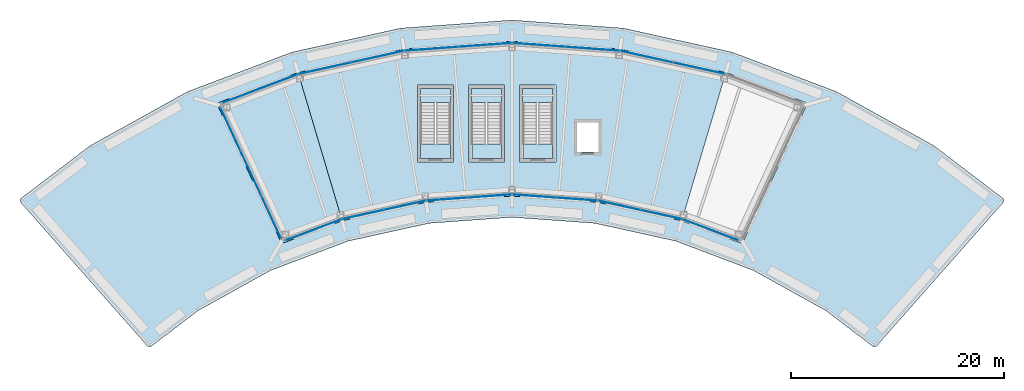
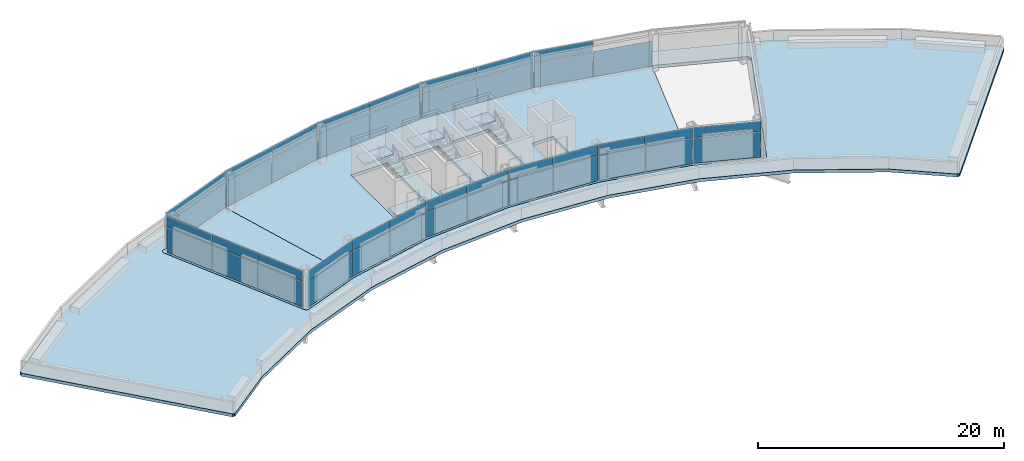
# One storey, part 5 of 9: 43 plates, 9 slabs, 15 elements without a shape of their own.
"""IFC4 building model written with IfcOpenShell, lengths in metres."""

from ifc_helpers import new_model, si_unit, direction, frame, origin, origin_2d, place, context, subcontext, project, spatial, polyline, rectangle, outline, extrude, material, layer, layer_set, type_object, element, aggregate, save


model = new_model("IFC4")

# Units and contexts
model_context = context("Model", 3, precision=1e-05, world=origin(), true_north=direction((0.0, 1.0)))
body_context = subcontext(model_context, "Body", "Model", "MODEL_VIEW")
ifc_project = project(units=[si_unit("LENGTHUNIT", "METRE"), si_unit("AREAUNIT", "SQUARE_METRE"), si_unit("VOLUMEUNIT", "CUBIC_METRE"), si_unit("PLANEANGLEUNIT", "RADIAN"), si_unit("MASSUNIT", "GRAM", prefix="KILO")], contexts=[model_context])

# Site, building, storey
site_placement = place(None, origin())
site = spatial("IfcSite", under=ifc_project, at=site_placement, CompositionType="ELEMENT")
building_placement = place(site_placement, origin())
building = spatial("IfcBuilding", under=site, at=building_placement, Name="Tuul Gate Civic Tower", CompositionType="ELEMENT")
storey_placement = place(building_placement, frame((0.0, 0.0, 368.10009765625)))
storey = spatial("IfcBuildingStorey", under=building, at=storey_placement, Name="Crown tier 2 lower", CompositionType="ELEMENT", Elevation=368.10009765625)

# Curtain wall, plates
ifc_material_1 = material(Name="Aluminium", Category="aluminium")
ifc_layer_1 = layer(ifc_material_1, 0.199951171875)
ifc_layer_set_1 = layer_set([ifc_layer_1], Name="Aluminium")
curtain_wall_type = type_object("IfcCurtainWallType", Name="Curtain wall CW5", PredefinedType="NOTDEFINED", material=ifc_layer_set_1)
curtain_wall_1_placement = place(storey_placement, origin())
curtain_wall_1 = element("IfcCurtainWall", 1, at=curtain_wall_1_placement, inside=storey, type_object=curtain_wall_type, Name="Curtain wall CW5", PredefinedType="NOTDEFINED")
ifc_material_2 = material(Name="Insulated glass", Category="glass")
ifc_layer_2 = layer(ifc_material_2, 0.030029296875)
ifc_layer_set_2 = layer_set([ifc_layer_2], Name="Insulated glass")
plate_type = type_object("IfcPlateType", Name="CW5 panel", PredefinedType="CURTAIN_PANEL", material=ifc_layer_set_2)
plate_1_placement = place(storey_placement, frame((19.75732421875, 7.89697265625, 0.06005859375), z_axis=(0.0, 0.0, 1.0), x_axis=(-0.976567587853, 0.215210934562, 0.0)))
plate_1 = element("IfcPlate", 2, at=plate_1_placement, type_object=plate_type, Name="Panel", PredefinedType="CURTAIN_PANEL", context=body_context, shape_type="SweptSolid", body=[
    extrude(rectangle(XDim=4.990966796875, YDim=0.030029296875, at=origin_2d()), origin(), (0.0, 0.0, 1.0), 2.510009765625),
])
plate_2_placement = place(storey_placement, frame((14.82470703125, 8.984130859375, 0.06005859375), z_axis=(0.0, 0.0, 1.0), x_axis=(-0.976567587853, 0.215210934562, 0.0)))
plate_2 = element("IfcPlate", 3, at=plate_2_placement, type_object=plate_type, Name="Panel", PredefinedType="CURTAIN_PANEL", context=body_context, shape_type="SweptSolid", body=[
    extrude(rectangle(XDim=4.990966796875, YDim=0.030029296875, at=origin_2d()), origin(), (0.0, 0.0, 1.0), 2.510009765625),
])
plate_3_placement = place(storey_placement, frame((14.82470703125, 8.984130859375, 2.6298828125), z_axis=(0.0, 0.0, 1.0), x_axis=(-0.976567587853, 0.215210934562, 0.0)))
plate_3 = element("IfcPlate", 4, at=plate_3_placement, type_object=plate_type, Name="Panel", PredefinedType="CURTAIN_PANEL", context=body_context, shape_type="SweptSolid", body=[
    extrude(rectangle(XDim=4.990966796875, YDim=0.030029296875, at=origin_2d()), origin(), (0.0, 0.0, 1.0), 1.010009765625),
])
aggregate(curtain_wall_1, [plate_1, plate_2, plate_3])

curtain_wall_2_placement = place(storey_placement, origin())
curtain_wall_2 = element("IfcCurtainWall", 5, at=curtain_wall_2_placement, inside=storey, type_object=curtain_wall_type, Name="Curtain wall CW5", PredefinedType="NOTDEFINED")
plate_4_placement = place(storey_placement, frame((9.77978515625, 9.718505859375, 0.06005859375), z_axis=(0.0, 0.0, 1.0), x_axis=(-0.997388803273, 0.072218938697, 0.0)))
plate_4 = element("IfcPlate", 6, at=plate_4_placement, type_object=plate_type, Name="Panel", PredefinedType="CURTAIN_PANEL", context=body_context, shape_type="SweptSolid", body=[
    extrude(rectangle(XDim=4.99169921875, YDim=0.030029296875, at=origin_2d()), origin(), (0.0, 0.0, 1.0), 2.510009765625),
])
plate_5_placement = place(storey_placement, frame((9.77978515625, 9.718505859375, 2.6298828125), z_axis=(0.0, 0.0, 1.0), x_axis=(-0.997388803273, 0.072218938697, 0.0)))
plate_5 = element("IfcPlate", 7, at=plate_5_placement, type_object=plate_type, Name="Panel", PredefinedType="CURTAIN_PANEL", context=body_context, shape_type="SweptSolid", body=[
    extrude(rectangle(XDim=4.99169921875, YDim=0.030029296875, at=origin_2d()), origin(), (0.0, 0.0, 1.0), 1.010009765625),
])
plate_6_placement = place(storey_placement, frame((4.7412109375, 10.08349609375, 0.06005859375), z_axis=(0.0, 0.0, 1.0), x_axis=(-0.997388803273, 0.072218938697, 0.0)))
plate_6 = element("IfcPlate", 8, at=plate_6_placement, type_object=plate_type, Name="Panel", PredefinedType="CURTAIN_PANEL", context=body_context, shape_type="SweptSolid", body=[
    extrude(rectangle(XDim=4.99169921875, YDim=0.030029296875, at=origin_2d()), origin(), (0.0, 0.0, 1.0), 2.510009765625),
])
plate_7_placement = place(storey_placement, frame((4.7412109375, 10.08349609375, 2.6298828125), z_axis=(0.0, 0.0, 1.0), x_axis=(-0.997388803273, 0.072218938697, 0.0)))
plate_7 = element("IfcPlate", 9, at=plate_7_placement, type_object=plate_type, Name="Panel", PredefinedType="CURTAIN_PANEL", context=body_context, shape_type="SweptSolid", body=[
    extrude(rectangle(XDim=4.99169921875, YDim=0.030029296875, at=origin_2d()), origin(), (0.0, 0.0, 1.0), 1.010009765625),
])
aggregate(curtain_wall_2, [plate_4, plate_5, plate_6, plate_7])

curtain_wall_3_placement = place(storey_placement, origin())
curtain_wall_3 = element("IfcCurtainWall", 10, at=curtain_wall_3_placement, inside=storey, type_object=curtain_wall_type, Name="Curtain wall CW5", PredefinedType="NOTDEFINED")
plate_8_placement = place(storey_placement, frame((-0.357177734375, 10.08349609375, 0.06005859375), z_axis=(0.0, 0.0, 1.0), x_axis=(-0.997388803273, -0.072218938697, 0.0)))
plate_8 = element("IfcPlate", 11, at=plate_8_placement, type_object=plate_type, Name="Panel", PredefinedType="CURTAIN_PANEL", context=body_context, shape_type="SweptSolid", body=[
    extrude(rectangle(XDim=4.99169921875, YDim=0.030029296875, at=origin_2d()), origin(), (0.0, 0.0, 1.0), 2.510009765625),
])
plate_9_placement = place(storey_placement, frame((-0.357177734375, 10.08349609375, 2.6298828125), z_axis=(0.0, 0.0, 1.0), x_axis=(-0.997388803273, -0.072218938697, 0.0)))
plate_9 = element("IfcPlate", 12, at=plate_9_placement, type_object=plate_type, Name="Panel", PredefinedType="CURTAIN_PANEL", context=body_context, shape_type="SweptSolid", body=[
    extrude(rectangle(XDim=4.99169921875, YDim=0.030029296875, at=origin_2d()), origin(), (0.0, 0.0, 1.0), 1.010009765625),
])
plate_10_placement = place(storey_placement, frame((-5.395751953125, 9.718505859375, 0.06005859375), z_axis=(0.0, 0.0, 1.0), x_axis=(-0.997388803273, -0.072218938697, 0.0)))
plate_10 = element("IfcPlate", 13, at=plate_10_placement, type_object=plate_type, Name="Panel", PredefinedType="CURTAIN_PANEL", context=body_context, shape_type="SweptSolid", body=[
    extrude(rectangle(XDim=4.99169921875, YDim=0.030029296875, at=origin_2d()), origin(), (0.0, 0.0, 1.0), 2.510009765625),
])
plate_11_placement = place(storey_placement, frame((-5.395751953125, 9.718505859375, 2.6298828125), z_axis=(0.0, 0.0, 1.0), x_axis=(-0.997388803273, -0.072218938697, 0.0)))
plate_11 = element("IfcPlate", 14, at=plate_11_placement, type_object=plate_type, Name="Panel", PredefinedType="CURTAIN_PANEL", context=body_context, shape_type="SweptSolid", body=[
    extrude(rectangle(XDim=4.99169921875, YDim=0.030029296875, at=origin_2d()), origin(), (0.0, 0.0, 1.0), 1.010009765625),
])
aggregate(curtain_wall_3, [plate_8, plate_9, plate_10, plate_11])

curtain_wall_4_placement = place(storey_placement, origin())
curtain_wall_4 = element("IfcCurtainWall", 15, at=curtain_wall_4_placement, inside=storey, type_object=curtain_wall_type, Name="Curtain wall CW5", PredefinedType="NOTDEFINED")
plate_12_placement = place(storey_placement, frame((-10.440673828125, 8.984130859375, 0.06005859375), z_axis=(0.0, 0.0, 1.0), x_axis=(-0.976567587853, -0.215210934562, 0.0)))
plate_12 = element("IfcPlate", 16, at=plate_12_placement, type_object=plate_type, Name="Panel", PredefinedType="CURTAIN_PANEL", context=body_context, shape_type="SweptSolid", body=[
    extrude(rectangle(XDim=4.990966796875, YDim=0.030029296875, at=origin_2d()), origin(), (0.0, 0.0, 1.0), 2.510009765625),
])
plate_13_placement = place(storey_placement, frame((-10.440673828125, 8.984130859375, 2.6298828125), z_axis=(0.0, 0.0, 1.0), x_axis=(-0.976567587853, -0.215210934562, 0.0)))
plate_13 = element("IfcPlate", 17, at=plate_13_placement, type_object=plate_type, Name="Panel", PredefinedType="CURTAIN_PANEL", context=body_context, shape_type="SweptSolid", body=[
    extrude(rectangle(XDim=4.990966796875, YDim=0.030029296875, at=origin_2d()), origin(), (0.0, 0.0, 1.0), 1.010009765625),
])
plate_14_placement = place(storey_placement, frame((-15.373291015625, 7.89697265625, 0.06005859375), z_axis=(0.0, 0.0, 1.0), x_axis=(-0.976567587853, -0.215210934562, 0.0)))
plate_14 = element("IfcPlate", 18, at=plate_14_placement, type_object=plate_type, Name="Panel", PredefinedType="CURTAIN_PANEL", context=body_context, shape_type="SweptSolid", body=[
    extrude(rectangle(XDim=4.990966796875, YDim=0.030029296875, at=origin_2d()), origin(), (0.0, 0.0, 1.0), 2.510009765625),
])
plate_15_placement = place(storey_placement, frame((-15.373291015625, 7.89697265625, 2.6298828125), z_axis=(0.0, 0.0, 1.0), x_axis=(-0.976567587853, -0.215210934562, 0.0)))
plate_15 = element("IfcPlate", 19, at=plate_15_placement, type_object=plate_type, Name="Panel", PredefinedType="CURTAIN_PANEL", context=body_context, shape_type="SweptSolid", body=[
    extrude(rectangle(XDim=4.990966796875, YDim=0.030029296875, at=origin_2d()), origin(), (0.0, 0.0, 1.0), 1.010009765625),
])
aggregate(curtain_wall_4, [plate_12, plate_13, plate_14, plate_15])

curtain_wall_5_placement = place(storey_placement, origin())
curtain_wall_5 = element("IfcCurtainWall", 20, at=curtain_wall_5_placement, inside=storey, type_object=curtain_wall_type, Name="Curtain wall CW5", PredefinedType="NOTDEFINED")
plate_16_placement = place(storey_placement, frame((-21.46337890625, 5.988037109375, 0.06005859375), z_axis=(0.0, 0.0, 1.0), x_axis=(-0.935379340792, -0.353645993643, 0.0)))
plate_16 = element("IfcPlate", 21, at=plate_16_placement, type_object=plate_type, Name="Panel", PredefinedType="CURTAIN_PANEL", context=body_context, shape_type="SweptSolid", body=[
    extrude(rectangle(XDim=7.565673828125, YDim=0.030029296875, at=origin_2d()), origin(), (0.0, 0.0, 1.0), 2.510009765625),
])
plate_17_placement = place(storey_placement, frame((-21.46337890625, 5.988037109375, 2.6298828125), z_axis=(0.0, 0.0, 1.0), x_axis=(-0.935379340792, -0.353645993643, 0.0)))
plate_17 = element("IfcPlate", 22, at=plate_17_placement, type_object=plate_type, Name="Panel", PredefinedType="CURTAIN_PANEL", context=body_context, shape_type="SweptSolid", body=[
    extrude(rectangle(XDim=7.565673828125, YDim=0.030029296875, at=origin_2d()), origin(), (0.0, 0.0, 1.0), 1.010009765625),
])
aggregate(curtain_wall_5, [plate_16, plate_17])

curtain_wall_6_placement = place(storey_placement, origin())
curtain_wall_6 = element("IfcCurtainWall", 23, at=curtain_wall_6_placement, inside=storey, type_object=curtain_wall_type, Name="Curtain wall CW5", PredefinedType="NOTDEFINED")
plate_18_placement = place(storey_placement, frame((-24.262451171875, 2.146484375, 0.06005859375), z_axis=(0.0, 0.0, 1.0), x_axis=(0.420378549682, -0.90734881659, 0.0)))
plate_18 = element("IfcPlate", 24, at=plate_18_placement, type_object=plate_type, Name="Panel", PredefinedType="CURTAIN_PANEL", context=body_context, shape_type="SweptSolid", body=[
    extrude(rectangle(XDim=4.455078125, YDim=0.030029296875, at=origin_2d()), origin(), (0.0, 0.0, 1.0), 2.510009765625),
])
plate_19_placement = place(storey_placement, frame((-24.262451171875, 2.146484375, 2.6298828125), z_axis=(0.0, 0.0, 1.0), x_axis=(0.420378549682, -0.90734881659, 0.0)))
plate_19 = element("IfcPlate", 25, at=plate_19_placement, type_object=plate_type, Name="Panel", PredefinedType="CURTAIN_PANEL", context=body_context, shape_type="SweptSolid", body=[
    extrude(rectangle(XDim=4.455078125, YDim=0.030029296875, at=origin_2d()), origin(), (0.0, 0.0, 1.0), 1.010009765625),
])
plate_20_placement = place(storey_placement, frame((-22.35791015625, -1.964111328125, 0.06005859375), z_axis=(0.0, 0.0, 1.0), x_axis=(0.420378549682, -0.90734881659, 0.0)))
plate_20 = element("IfcPlate", 26, at=plate_20_placement, type_object=plate_type, Name="Panel", PredefinedType="CURTAIN_PANEL", context=body_context, shape_type="SweptSolid", body=[
    extrude(rectangle(XDim=4.485107421875, YDim=0.030029296875, at=origin_2d()), origin(), (0.0, 0.0, 1.0), 2.510009765625),
])
plate_21_placement = place(storey_placement, frame((-22.35791015625, -1.964111328125, 2.6298828125), z_axis=(0.0, 0.0, 1.0), x_axis=(0.420378549682, -0.90734881659, 0.0)))
plate_21 = element("IfcPlate", 27, at=plate_21_placement, type_object=plate_type, Name="Panel", PredefinedType="CURTAIN_PANEL", context=body_context, shape_type="SweptSolid", body=[
    extrude(rectangle(XDim=4.485107421875, YDim=0.030029296875, at=origin_2d()), origin(), (0.0, 0.0, 1.0), 1.010009765625),
])
plate_22_placement = place(storey_placement, frame((-20.45361328125, -6.074462890625, 0.06005859375), z_axis=(0.0, 0.0, 1.0), x_axis=(0.420378549682, -0.90734881659, 0.0)))
plate_22 = element("IfcPlate", 28, at=plate_22_placement, type_object=plate_type, Name="Panel", PredefinedType="CURTAIN_PANEL", context=body_context, shape_type="SweptSolid", body=[
    extrude(rectangle(XDim=4.455078125, YDim=0.030029296875, at=origin_2d()), origin(), (0.0, 0.0, 1.0), 2.510009765625),
])
plate_23_placement = place(storey_placement, frame((-20.45361328125, -6.074462890625, 2.6298828125), z_axis=(0.0, 0.0, 1.0), x_axis=(0.420378549682, -0.90734881659, 0.0)))
plate_23 = element("IfcPlate", 29, at=plate_23_placement, type_object=plate_type, Name="Panel", PredefinedType="CURTAIN_PANEL", context=body_context, shape_type="SweptSolid", body=[
    extrude(rectangle(XDim=4.455078125, YDim=0.030029296875, at=origin_2d()), origin(), (0.0, 0.0, 1.0), 1.010009765625),
])
aggregate(curtain_wall_6, [plate_18, plate_19, plate_20, plate_21, plate_22, plate_23])

curtain_wall_7_placement = place(storey_placement, origin())
curtain_wall_7 = element("IfcCurtainWall", 30, at=curtain_wall_7_placement, inside=storey, type_object=curtain_wall_type, Name="Curtain wall CW5", PredefinedType="NOTDEFINED")
plate_24_placement = place(storey_placement, frame((-16.46142578125, -7.302001953125, 0.06005859375), z_axis=(0.0, 0.0, 1.0), x_axis=(0.935361945353, 0.353692000454, 0.0)))
plate_24 = element("IfcPlate", 31, at=plate_24_placement, type_object=plate_type, Name="Panel", PredefinedType="CURTAIN_PANEL", context=body_context, shape_type="SweptSolid", body=[
    extrude(rectangle(XDim=5.551513671875, YDim=0.030029296875, at=origin_2d()), origin(), (0.0, 0.0, 1.0), 2.510009765625),
])
plate_25_placement = place(storey_placement, frame((-16.46142578125, -7.302001953125, 2.6298828125), z_axis=(0.0, 0.0, 1.0), x_axis=(0.935361945353, 0.353692000454, 0.0)))
plate_25 = element("IfcPlate", 32, at=plate_25_placement, type_object=plate_type, Name="Panel", PredefinedType="CURTAIN_PANEL", context=body_context, shape_type="SweptSolid", body=[
    extrude(rectangle(XDim=5.551513671875, YDim=0.030029296875, at=origin_2d()), origin(), (0.0, 0.0, 1.0), 1.010009765625),
])
aggregate(curtain_wall_7, [plate_24, plate_25])

curtain_wall_8_placement = place(storey_placement, origin())
curtain_wall_8 = element("IfcCurtainWall", 33, at=curtain_wall_8_placement, inside=storey, type_object=curtain_wall_type, Name="Curtain wall CW5", PredefinedType="NOTDEFINED")
plate_26_placement = place(storey_placement, frame((-11.8154296875, -5.859619140625, 0.06005859375), z_axis=(0.0, 0.0, 1.0), x_axis=(0.976554293156, 0.215271253351, 0.0)))
plate_26 = element("IfcPlate", 34, at=plate_26_placement, type_object=plate_type, Name="Panel", PredefinedType="CURTAIN_PANEL", context=body_context, shape_type="SweptSolid", body=[
    extrude(rectangle(XDim=3.963134765625, YDim=0.030029296875, at=origin_2d()), origin(), (0.0, 0.0, 1.0), 2.510009765625),
])
plate_27_placement = place(storey_placement, frame((-11.8154296875, -5.859619140625, 2.6298828125), z_axis=(0.0, 0.0, 1.0), x_axis=(0.976554293156, 0.215271253351, 0.0)))
plate_27 = element("IfcPlate", 35, at=plate_27_placement, type_object=plate_type, Name="Panel", PredefinedType="CURTAIN_PANEL", context=body_context, shape_type="SweptSolid", body=[
    extrude(rectangle(XDim=3.963134765625, YDim=0.030029296875, at=origin_2d()), origin(), (0.0, 0.0, 1.0), 1.010009765625),
])
plate_28_placement = place(storey_placement, frame((-7.88671875, -4.993408203125, 0.06005859375), z_axis=(0.0, 0.0, 1.0), x_axis=(0.976554293156, 0.215271253351, 0.0)))
plate_28 = element("IfcPlate", 36, at=plate_28_placement, type_object=plate_type, Name="Panel", PredefinedType="CURTAIN_PANEL", context=body_context, shape_type="SweptSolid", body=[
    extrude(rectangle(XDim=3.963134765625, YDim=0.030029296875, at=origin_2d()), origin(), (0.0, 0.0, 1.0), 2.510009765625),
])
plate_29_placement = place(storey_placement, frame((-7.88671875, -4.993408203125, 2.6298828125), z_axis=(0.0, 0.0, 1.0), x_axis=(0.976554293156, 0.215271253351, 0.0)))
plate_29 = element("IfcPlate", 37, at=plate_29_placement, type_object=plate_type, Name="Panel", PredefinedType="CURTAIN_PANEL", context=body_context, shape_type="SweptSolid", body=[
    extrude(rectangle(XDim=3.963134765625, YDim=0.030029296875, at=origin_2d()), origin(), (0.0, 0.0, 1.0), 1.010009765625),
])
aggregate(curtain_wall_8, [plate_26, plate_27, plate_28, plate_29])

curtain_wall_9_placement = place(storey_placement, origin())
curtain_wall_9 = element("IfcCurtainWall", 38, at=curtain_wall_9_placement, inside=storey, type_object=curtain_wall_type, Name="Curtain wall CW5", PredefinedType="NOTDEFINED")
plate_30_placement = place(storey_placement, frame((-3.856689453125, -4.40673828125, 0.06005859375), z_axis=(0.0, 0.0, 1.0), x_axis=(0.997392523036, 0.072167548057, 0.0)))
plate_30 = element("IfcPlate", 39, at=plate_30_placement, type_object=plate_type, Name="Panel", PredefinedType="CURTAIN_PANEL", context=body_context, shape_type="SweptSolid", body=[
    extrude(rectangle(XDim=3.963134765625, YDim=0.030029296875, at=origin_2d()), origin(), (0.0, 0.0, 1.0), 2.510009765625),
])
plate_31_placement = place(storey_placement, frame((-3.856689453125, -4.40673828125, 2.6298828125), z_axis=(0.0, 0.0, 1.0), x_axis=(0.997392523036, 0.072167548057, 0.0)))
plate_31 = element("IfcPlate", 40, at=plate_31_placement, type_object=plate_type, Name="Panel", PredefinedType="CURTAIN_PANEL", context=body_context, shape_type="SweptSolid", body=[
    extrude(rectangle(XDim=3.963134765625, YDim=0.030029296875, at=origin_2d()), origin(), (0.0, 0.0, 1.0), 1.010009765625),
])
plate_32_placement = place(storey_placement, frame((0.15576171875, -4.1162109375, 0.06005859375), z_axis=(0.0, 0.0, 1.0), x_axis=(0.997392523036, 0.072167548057, 0.0)))
plate_32 = element("IfcPlate", 41, at=plate_32_placement, type_object=plate_type, Name="Panel", PredefinedType="CURTAIN_PANEL", context=body_context, shape_type="SweptSolid", body=[
    extrude(rectangle(XDim=3.963134765625, YDim=0.030029296875, at=origin_2d()), origin(), (0.0, 0.0, 1.0), 2.510009765625),
])
plate_33_placement = place(storey_placement, frame((0.15576171875, -4.1162109375, 2.6298828125), z_axis=(0.0, 0.0, 1.0), x_axis=(0.997392523036, 0.072167548057, 0.0)))
plate_33 = element("IfcPlate", 42, at=plate_33_placement, type_object=plate_type, Name="Panel", PredefinedType="CURTAIN_PANEL", context=body_context, shape_type="SweptSolid", body=[
    extrude(rectangle(XDim=3.963134765625, YDim=0.030029296875, at=origin_2d()), origin(), (0.0, 0.0, 1.0), 1.010009765625),
])
aggregate(curtain_wall_9, [plate_30, plate_31, plate_32, plate_33])

curtain_wall_10_placement = place(storey_placement, origin())
curtain_wall_10 = element("IfcCurtainWall", 43, at=curtain_wall_10_placement, inside=storey, type_object=curtain_wall_type, Name="Curtain wall CW5", PredefinedType="NOTDEFINED")
plate_34_placement = place(storey_placement, frame((4.228271484375, -4.1162109375, 0.06005859375), z_axis=(0.0, 0.0, 1.0), x_axis=(0.997392523036, -0.072167548057, 0.0)))
plate_34 = element("IfcPlate", 44, at=plate_34_placement, type_object=plate_type, Name="Panel", PredefinedType="CURTAIN_PANEL", context=body_context, shape_type="SweptSolid", body=[
    extrude(rectangle(XDim=3.963134765625, YDim=0.030029296875, at=origin_2d()), origin(), (0.0, 0.0, 1.0), 2.510009765625),
])
plate_35_placement = place(storey_placement, frame((4.228271484375, -4.1162109375, 2.6298828125), z_axis=(0.0, 0.0, 1.0), x_axis=(0.997392523036, -0.072167548057, 0.0)))
plate_35 = element("IfcPlate", 45, at=plate_35_placement, type_object=plate_type, Name="Panel", PredefinedType="CURTAIN_PANEL", context=body_context, shape_type="SweptSolid", body=[
    extrude(rectangle(XDim=3.963134765625, YDim=0.030029296875, at=origin_2d()), origin(), (0.0, 0.0, 1.0), 1.010009765625),
])
plate_36_placement = place(storey_placement, frame((8.24072265625, -4.40673828125, 0.06005859375), z_axis=(0.0, 0.0, 1.0), x_axis=(0.997392523036, -0.072167548057, 0.0)))
plate_36 = element("IfcPlate", 46, at=plate_36_placement, type_object=plate_type, Name="Panel", PredefinedType="CURTAIN_PANEL", context=body_context, shape_type="SweptSolid", body=[
    extrude(rectangle(XDim=3.963134765625, YDim=0.030029296875, at=origin_2d()), origin(), (0.0, 0.0, 1.0), 2.510009765625),
])
plate_37_placement = place(storey_placement, frame((8.24072265625, -4.40673828125, 2.6298828125), z_axis=(0.0, 0.0, 1.0), x_axis=(0.997392523036, -0.072167548057, 0.0)))
plate_37 = element("IfcPlate", 47, at=plate_37_placement, type_object=plate_type, Name="Panel", PredefinedType="CURTAIN_PANEL", context=body_context, shape_type="SweptSolid", body=[
    extrude(rectangle(XDim=3.963134765625, YDim=0.030029296875, at=origin_2d()), origin(), (0.0, 0.0, 1.0), 1.010009765625),
])
aggregate(curtain_wall_10, [plate_34, plate_35, plate_36, plate_37])

curtain_wall_11_placement = place(storey_placement, origin())
curtain_wall_11 = element("IfcCurtainWall", 48, at=curtain_wall_11_placement, inside=storey, type_object=curtain_wall_type, Name="Curtain wall CW5", PredefinedType="NOTDEFINED")
plate_38_placement = place(storey_placement, frame((12.270751953125, -4.993408203125, 0.06005859375), z_axis=(0.0, 0.0, 1.0), x_axis=(0.976554293156, -0.215271253351, 0.0)))
plate_38 = element("IfcPlate", 49, at=plate_38_placement, type_object=plate_type, Name="Panel", PredefinedType="CURTAIN_PANEL", context=body_context, shape_type="SweptSolid", body=[
    extrude(rectangle(XDim=3.963134765625, YDim=0.030029296875, at=origin_2d()), origin(), (0.0, 0.0, 1.0), 2.510009765625),
])
plate_39_placement = place(storey_placement, frame((12.270751953125, -4.993408203125, 2.6298828125), z_axis=(0.0, 0.0, 1.0), x_axis=(0.976554293156, -0.215271253351, 0.0)))
plate_39 = element("IfcPlate", 50, at=plate_39_placement, type_object=plate_type, Name="Panel", PredefinedType="CURTAIN_PANEL", context=body_context, shape_type="SweptSolid", body=[
    extrude(rectangle(XDim=3.963134765625, YDim=0.030029296875, at=origin_2d()), origin(), (0.0, 0.0, 1.0), 1.010009765625),
])
plate_40_placement = place(storey_placement, frame((16.199462890625, -5.859619140625, 0.06005859375), z_axis=(0.0, 0.0, 1.0), x_axis=(0.976554293156, -0.215271253351, 0.0)))
plate_40 = element("IfcPlate", 51, at=plate_40_placement, type_object=plate_type, Name="Panel", PredefinedType="CURTAIN_PANEL", context=body_context, shape_type="SweptSolid", body=[
    extrude(rectangle(XDim=3.963134765625, YDim=0.030029296875, at=origin_2d()), origin(), (0.0, 0.0, 1.0), 2.510009765625),
])
plate_41_placement = place(storey_placement, frame((16.199462890625, -5.859619140625, 2.6298828125), z_axis=(0.0, 0.0, 1.0), x_axis=(0.976554293156, -0.215271253351, 0.0)))
plate_41 = element("IfcPlate", 52, at=plate_41_placement, type_object=plate_type, Name="Panel", PredefinedType="CURTAIN_PANEL", context=body_context, shape_type="SweptSolid", body=[
    extrude(rectangle(XDim=3.963134765625, YDim=0.030029296875, at=origin_2d()), origin(), (0.0, 0.0, 1.0), 1.010009765625),
])
aggregate(curtain_wall_11, [plate_38, plate_39, plate_40, plate_41])

curtain_wall_12_placement = place(storey_placement, origin())
curtain_wall_12 = element("IfcCurtainWall", 53, at=curtain_wall_12_placement, inside=storey, type_object=curtain_wall_type, Name="Curtain wall CW5", PredefinedType="NOTDEFINED")
plate_42_placement = place(storey_placement, frame((20.845458984375, -7.302001953125, 0.06005859375), z_axis=(0.0, 0.0, 1.0), x_axis=(0.935361945353, -0.353692000454, 0.0)))
plate_42 = element("IfcPlate", 54, at=plate_42_placement, type_object=plate_type, Name="Panel", PredefinedType="CURTAIN_PANEL", context=body_context, shape_type="SweptSolid", body=[
    extrude(rectangle(XDim=5.551513671875, YDim=0.030029296875, at=origin_2d()), origin(), (0.0, 0.0, 1.0), 2.510009765625),
])
plate_43_placement = place(storey_placement, frame((20.845458984375, -7.302001953125, 2.6298828125), z_axis=(0.0, 0.0, 1.0), x_axis=(0.935361945353, -0.353692000454, 0.0)))
plate_43 = element("IfcPlate", 55, at=plate_43_placement, type_object=plate_type, Name="Panel", PredefinedType="CURTAIN_PANEL", context=body_context, shape_type="SweptSolid", body=[
    extrude(rectangle(XDim=5.551513671875, YDim=0.030029296875, at=origin_2d()), origin(), (0.0, 0.0, 1.0), 1.010009765625),
])
aggregate(curtain_wall_12, [plate_42, plate_43])

# Stair, slab
ifc_material_3 = material(Name="Concrete C40/50", Category="concrete")
stair_type = type_object("IfcStairType", Name="Exit stair", PredefinedType="HALF_TURN_STAIR", material=ifc_material_3)
stair_1_placement = place(storey_placement, origin())
stair_1 = element("IfcStair", 56, at=stair_1_placement, inside=storey, type_object=stair_type, Name="Crown tier 2 lower ST-5", PredefinedType="HALF_TURN_STAIR")
ifc_material_4 = material(Name="Concrete C40/50", Category="concrete")
ifc_layer_3 = layer(ifc_material_4, 0.199951171875)
ifc_layer_set_3 = layer_set([ifc_layer_3], Name="Concrete C40/50")
slab_type_1 = type_object("IfcSlabType", Name="Exit stair landing", PredefinedType="LANDING", material=ifc_layer_set_3)
slab_1_placement = place(storey_placement, frame((0.0, 0.0, 1.7998046875)))
slab_1 = element("IfcSlab", 57, at=slab_1_placement, type_object=slab_type_1, Name="ST-5 landing 1", PredefinedType="LANDING", context=body_context, shape_type="SweptSolid", body=[
    extrude(outline(polyline([(-3.59912109375, 4.649169921875), (-6.40087890625, 4.649169921875), (-6.40087890625, 6.000732421875), (-3.59912109375, 6.000732421875), (-3.59912109375, 4.649169921875)])), origin(), (0.0, 0.0, 1.0), 0.2001953125),
])
aggregate(stair_1, [slab_1])

stair_2_placement = place(storey_placement, origin())
stair_2 = element("IfcStair", 58, at=stair_2_placement, inside=storey, type_object=stair_type, Name="Crown tier 2 lower ST-6", PredefinedType="HALF_TURN_STAIR")
slab_2_placement = place(storey_placement, frame((0.0, 0.0, 1.7998046875)))
slab_2 = element("IfcSlab", 59, at=slab_2_placement, type_object=slab_type_1, Name="ST-6 landing 1", PredefinedType="LANDING", context=body_context, shape_type="SweptSolid", body=[
    extrude(outline(polyline([(1.20068359375, 4.649169921875), (-1.600830078125, 4.649169921875), (-1.600830078125, 6.000732421875), (1.20068359375, 6.000732421875), (1.20068359375, 4.649169921875)])), origin(), (0.0, 0.0, 1.0), 0.2001953125),
])
aggregate(stair_2, [slab_2])

stair_3_placement = place(storey_placement, origin())
stair_3 = element("IfcStair", 60, at=stair_3_placement, inside=storey, type_object=stair_type, Name="Crown tier 2 lower ST-7", PredefinedType="HALF_TURN_STAIR")
slab_3_placement = place(storey_placement, frame((0.0, 0.0, 1.7998046875)))
slab_3 = element("IfcSlab", 61, at=slab_3_placement, type_object=slab_type_1, Name="ST-7 landing 1", PredefinedType="LANDING", context=body_context, shape_type="SweptSolid", body=[
    extrude(outline(polyline([(6.000732421875, 4.649169921875), (3.19921875, 4.649169921875), (3.19921875, 6.000732421875), (6.000732421875, 6.000732421875), (6.000732421875, 4.649169921875)])), origin(), (0.0, 0.0, 1.0), 0.2001953125),
])
aggregate(stair_3, [slab_3])

# Slabs
ifc_material_5 = material(Name="Concrete C35/45", Category="concrete")
ifc_layer_4 = layer(ifc_material_5, 0.300048828125)
ifc_layer_set_4 = layer_set([ifc_layer_4], Name="Concrete C35/45")
slab_type_2 = type_object("IfcSlabType", Name="STR-FLOOR-SLAB-300", PredefinedType="FLOOR", material=ifc_layer_set_4)
slab_4_placement = place(storey_placement, frame((0.0, 0.0, -0.300048828125)))
element("IfcSlab", 62, at=slab_4_placement, inside=storey, type_object=slab_type_2, Name="Crown tier 2 lower/slab/W", PredefinedType="FLOOR", context=body_context, shape_type="SweptSolid", body=[
    extrude(outline(polyline([(-13.76611328125, -6.443115234375), (-17.912109375, 7.490966796875), (-25.260986328125, 4.7119140625), (-25.364990234375, 4.64599609375), (-25.43310546875, 4.544921875), (-25.455078125, 4.424072265625), (-25.427978515625, 4.304931640625), (-19.569091796875, -8.340087890625), (-19.50390625, -8.430908203125), (-19.410888671875, -8.491943359375), (-19.301025390625, -8.513916015625), (-19.19091796875, -8.4951171875), (-13.76611328125, -6.443115234375)])), origin(), (0.0, 0.0, 1.0), 0.300048828125),
])
slab_5_placement = place(storey_placement, frame((0.0, 0.0, -0.300048828125)))
element("IfcSlab", 63, at=slab_5_placement, inside=storey, type_object=slab_type_2, Name="Crown tier 2 lower/slab/M", PredefinedType="FLOOR", context=body_context, shape_type="SweptSolid", body=[
    extrude(outline(polyline([(10.2548828125, -4.702880859375), (18.14990234375, -6.443115234375), (22.2958984375, 7.490966796875), (12.35009765625, 9.68310546875), (2.19189453125, 10.4189453125), (-7.966064453125, 9.68310546875), (-17.912109375, 7.490966796875), (-13.76611328125, -6.443115234375), (-5.87109375, -4.702880859375), (2.19189453125, -4.118896484375), (10.2548828125, -4.702880859375)]), holes=[polyline([(10.300048828125, 0.0), (8.300048828125, 0.0), (8.300048828125, 2.800048828125), (10.300048828125, 2.800048828125), (10.300048828125, 0.0)]), polyline([(-6.7099609375, -0.909912109375), (-6.7099609375, 6.31005859375), (-3.2900390625, 6.31005859375), (-3.2900390625, -0.909912109375), (-6.7099609375, -0.909912109375)]), polyline([(-1.909912109375, -0.909912109375), (-1.909912109375, 6.31005859375), (1.510009765625, 6.31005859375), (1.510009765625, -0.909912109375), (-1.909912109375, -0.909912109375)]), polyline([(2.889892578125, -0.909912109375), (2.889892578125, 6.31005859375), (6.31005859375, 6.31005859375), (6.31005859375, -0.909912109375), (2.889892578125, -0.909912109375)])]), origin(), (0.0, 0.0, 1.0), 0.300048828125),
])
slab_6_placement = place(storey_placement, frame((0.0, 0.0, -0.300048828125)))
element("IfcSlab", 64, at=slab_6_placement, inside=storey, type_object=slab_type_2, Name="Crown tier 2 lower/slab/M2", PredefinedType="FLOOR", context=body_context, shape_type="SweptSolid", body=[
    extrude(outline(polyline([(-3.610107421875, 0.75), (-6.389892578125, 0.75), (-6.389892578125, -0.590087890625), (-3.610107421875, -0.590087890625), (-3.610107421875, 0.75)])), origin(), (0.0, 0.0, 1.0), 0.300048828125),
])
slab_7_placement = place(storey_placement, frame((0.0, 0.0, -0.300048828125)))
element("IfcSlab", 65, at=slab_7_placement, inside=storey, type_object=slab_type_2, Name="Crown tier 2 lower/slab/M3", PredefinedType="FLOOR", context=body_context, shape_type="SweptSolid", body=[
    extrude(outline(polyline([(1.18994140625, 0.75), (-1.590087890625, 0.75), (-1.590087890625, -0.590087890625), (1.18994140625, -0.590087890625), (1.18994140625, 0.75)])), origin(), (0.0, 0.0, 1.0), 0.300048828125),
])
slab_8_placement = place(storey_placement, frame((0.0, 0.0, -0.300048828125)))
element("IfcSlab", 66, at=slab_8_placement, inside=storey, type_object=slab_type_2, Name="Crown tier 2 lower/slab/M4", PredefinedType="FLOOR", context=body_context, shape_type="SweptSolid", body=[
    extrude(outline(polyline([(3.2099609375, 0.75), (3.2099609375, -0.590087890625), (5.989990234375, -0.590087890625), (5.989990234375, 0.75), (3.2099609375, 0.75)])), origin(), (0.0, 0.0, 1.0), 0.300048828125),
])
ifc_material_6 = material(Name="Concrete C40/50", Category="concrete")
ifc_layer_5 = layer(ifc_material_6, 0.300048828125)
ifc_layer_set_5 = layer_set([ifc_layer_5], Name="Concrete C40/50")
slab_type_3 = type_object("IfcSlabType", Name="STR-GREEN-ROOF-SLAB-300", PredefinedType="ROOF", material=ifc_layer_set_5)
slab_9_placement = place(storey_placement, frame((0.0, 0.0, -0.300048828125)))
element("IfcSlab", 67, at=slab_9_placement, inside=storey, type_object=slab_type_3, Name="Crown tier 2 lower/terrace/1", PredefinedType="ROOF", context=body_context, shape_type="SweptSolid", body=[
    extrude(outline(polyline([(36.47705078125, -18.198974609375), (36.387939453125, -18.26708984375), (36.281005859375, -18.299072265625), (36.169921875, -18.2890625), (36.070068359375, -18.239013671875), (31.68603515625, -14.90087890625), (24.868896484375, -11.1220703125), (17.577880859375, -8.364990234375), (9.966064453125, -6.68798828125), (2.19189453125, -6.1240234375), (-5.58203125, -6.68798828125), (-13.194091796875, -8.364990234375), (-20.485107421875, -11.1220703125), (-27.302001953125, -14.90087890625), (-31.68603515625, -18.239013671875), (-31.785888671875, -18.2890625), (-31.89697265625, -18.299072265625), (-32.00390625, -18.26708984375), (-32.093017578125, -18.198974609375), (-43.968017578125, -4.742919921875), (-44.028076171875, -4.635986328125), (-44.0419921875, -4.514892578125), (-44.0048828125, -4.39794921875), (-43.925048828125, -4.304931640625), (-37.443115234375, 0.6298828125), (-28.281982421875, 5.7080078125), (-18.48388671875, 9.4130859375), (-8.2548828125, 11.6669921875), (2.19189453125, 12.424072265625), (12.638916015625, 11.6669921875), (22.867919921875, 9.4130859375), (32.666015625, 5.7080078125), (41.826904296875, 0.6298828125), (48.30908203125, -4.304931640625), (48.388916015625, -4.39794921875), (48.426025390625, -4.514892578125), (48.412109375, -4.635986328125), (48.35205078125, -4.742919921875), (36.47705078125, -18.198974609375)]), holes=[polyline([(29.839111328125, 4.424072265625), (29.81689453125, 4.544921875), (29.7490234375, 4.64599609375), (29.64501953125, 4.7119140625), (22.2958984375, 7.490966796875), (12.35009765625, 9.68310546875), (2.19189453125, 10.4189453125), (-7.966064453125, 9.68310546875), (-17.912109375, 7.490966796875), (-25.260986328125, 4.7119140625), (-25.364990234375, 4.64599609375), (-25.43310546875, 4.544921875), (-25.455078125, 4.424072265625), (-25.427978515625, 4.304931640625), (-19.569091796875, -8.340087890625), (-19.50390625, -8.430908203125), (-19.410888671875, -8.491943359375), (-19.301025390625, -8.513916015625), (-19.19091796875, -8.4951171875), (-13.76611328125, -6.443115234375), (-5.87109375, -4.702880859375), (2.19189453125, -4.118896484375), (10.2548828125, -4.702880859375), (18.14990234375, -6.443115234375), (23.574951171875, -8.4951171875), (23.68505859375, -8.513916015625), (23.794921875, -8.491943359375), (23.887939453125, -8.430908203125), (23.952880859375, -8.340087890625), (29.81201171875, 4.304931640625), (29.839111328125, 4.424072265625)])]), origin(), (0.0, 0.0, 1.0), 0.300048828125),
])

save(model, "model.ifc")
